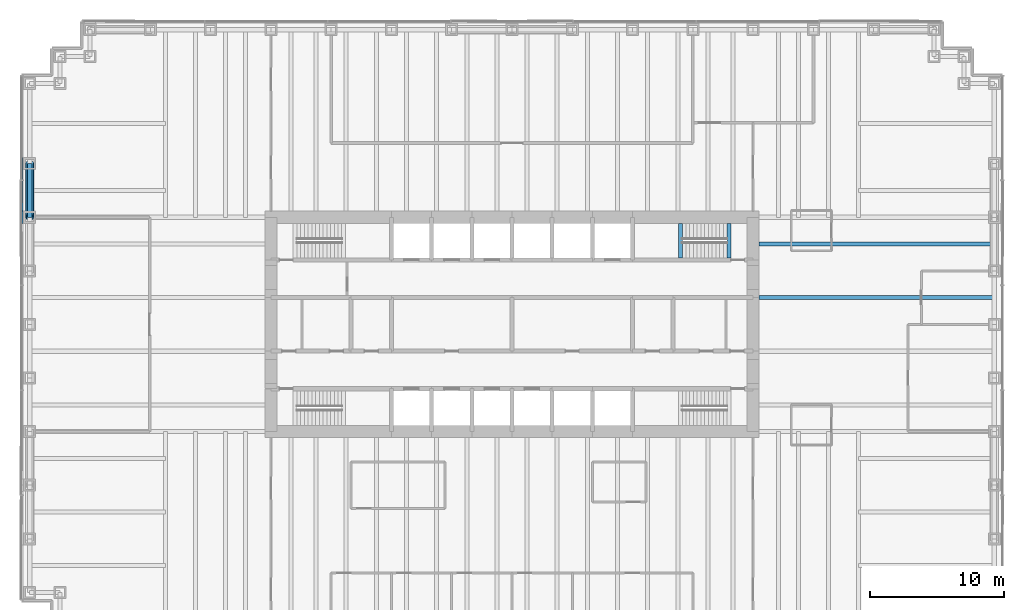
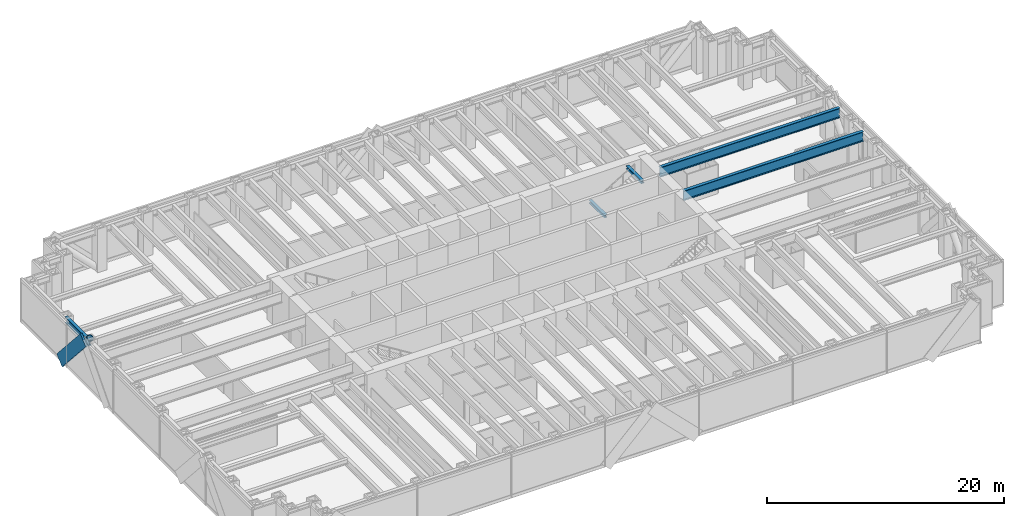
# One storey, part 4 of 13: 5 beams, 2 members, 1 element without a shape of its own.
"""IFC4 building model written with IfcOpenShell, lengths in metres."""

import ifcopenshell
import ifcopenshell.guid

model = None  # the IFC model being written
_history = None  # IfcOwnerHistory: only IFC2X3 demands one
_inside = {}  # id of a spatial element -> (the spatial element, [elements in it])
_under = {}  # id of a project, library or spatial element -> (it, [spatial elements below it])
_declared = {}  # id of a project -> (the project, [libraries it declares])
_typed = {}  # id of a type object -> (the type object, [elements of that type])
_made_of = {}  # id of a material, layer set ... -> (it, [elements and type objects made of it])


def new_model(schema):
    """Start an empty IFC model of exactly this schema.

    Asked for "IFC4X3", IfcOpenShell would pick the latest addendum, in which some entities
    have other attributes; the version numbers below select the first issue.
    IFC2X3 requires an IfcOwnerHistory on every rooted entity: one is made here for all.
    """
    global model, _history
    if schema == "IFC4X3":
        model = ifcopenshell.file(schema_version=(4, 3, 0, 0))
    else:
        model = ifcopenshell.file(schema=schema)
    _inside.clear()
    _under.clear()
    _declared.clear()
    _typed.clear()
    _made_of.clear()
    _history = None
    if model.schema == "IFC2X3":
        org = make("IfcOrganization", Name="unknown")
        user = make(
            "IfcPersonAndOrganization",
            ThePerson=make("IfcPerson", FamilyName="unknown"),
            TheOrganization=org,
        )
        app = make(
            "IfcApplication",
            ApplicationDeveloper=org,
            Version="unknown",
            ApplicationFullName="unknown",
            ApplicationIdentifier="unknown",
        )
        _history = make(
            "IfcOwnerHistory",
            OwningUser=user,
            OwningApplication=app,
            ChangeAction="ADDED",
            CreationDate=0,
        )
    return model


def make(cls, **values):
    """One entity of the class cls with the attributes given. An attribute that is None is left unset."""
    return model.create_entity(
        cls, **{name: value for name, value in values.items() if value is not None}
    )


def rooted(cls, **values):
    """An entity with a GlobalId (a new one), such as an element, a storey or a relation."""
    return make(cls, GlobalId=ifcopenshell.guid.new(), OwnerHistory=_history, **values)


def si_unit(unit_type, name, prefix=None):
    """IfcSIUnit, for example si_unit("LENGTHUNIT", "METRE", prefix="MILLI")."""
    return make("IfcSIUnit", UnitType=unit_type, Prefix=prefix, Name=name)


def assignment(units):
    """IfcUnitAssignment: the units of a project."""
    return None if units is None else make("IfcUnitAssignment", Units=units)


def point(xyz):
    """IfcCartesianPoint."""
    return None if xyz is None else make("IfcCartesianPoint", Coordinates=xyz)


def direction(xyz):
    """IfcDirection."""
    return None if xyz is None else make("IfcDirection", DirectionRatios=xyz)


def frame(location, z_axis=None, x_axis=None):
    """IfcAxis2Placement3D, a coordinate frame: its origin and axes. An axis left out is left unset."""
    return make(
        "IfcAxis2Placement3D",
        Location=point(location),
        Axis=direction(z_axis),
        RefDirection=direction(x_axis),
    )


def frame_2d(location, x_axis=None):
    """IfcAxis2Placement2D, a coordinate frame in the plane: its origin and x axis."""
    return make(
        "IfcAxis2Placement2D", Location=point(location), RefDirection=direction(x_axis)
    )


def origin():
    """The frame at (0, 0, 0) with its axes left unset."""
    return frame((0.0, 0.0, 0.0))


def origin_2d():
    """The frame at (0, 0) in the plane with its x axis left unset."""
    return frame_2d((0.0, 0.0))


def place(relative_to, where):
    """IfcLocalPlacement: puts the frame where relative to a parent placement (None: the world)."""
    return make(
        "IfcLocalPlacement", PlacementRelTo=relative_to, RelativePlacement=where
    )


def context(
    kind, dimensions, precision=None, world=None, true_north=None, identifier=None
):
    """IfcGeometricRepresentationContext, for example the 3D "Model" context."""
    return make(
        "IfcGeometricRepresentationContext",
        ContextIdentifier=identifier,
        ContextType=kind,
        CoordinateSpaceDimension=dimensions,
        Precision=precision,
        WorldCoordinateSystem=world,
        TrueNorth=true_north,
    )


def subcontext(parent, identifier, kind, view, scale=None):
    """IfcGeometricRepresentationSubContext, for example "Body" below "Model"."""
    return make(
        "IfcGeometricRepresentationSubContext",
        ContextIdentifier=identifier,
        ContextType=kind,
        ParentContext=parent,
        TargetScale=scale,
        TargetView=view,
    )


def project(units=None, contexts=None):
    """IfcProject with its units and contexts."""
    return rooted(
        "IfcProject",
        Name="project",
        RepresentationContexts=contexts,
        UnitsInContext=assignment(units),
    )


def spatial(cls, under=None, at=None, **own):
    """A site, building, storey or space (cls), placed at a placement, below another one or the project."""
    s = rooted(cls, ObjectPlacement=at, **own)
    if under is not None:
        _under.setdefault(under.id(), (under, []))[1].append(s)
    return s


def profile(cls, at=None, kind="AREA", **sizes):
    """A parametric profile (cls). Its sizes go by their IFC names, for example OverallWidth=200.0."""
    return make(cls, ProfileType=kind, Position=at, **sizes)


def rectangle(**sizes):
    """IfcRectangleProfileDef."""
    return profile("IfcRectangleProfileDef", **sizes)


def hollow_circle(**sizes):
    """IfcCircleHollowProfileDef."""
    return profile("IfcCircleHollowProfileDef", **sizes)


def i_section(**sizes):
    """IfcIShapeProfileDef."""
    return profile("IfcIShapeProfileDef", **sizes)


def extrude(swept, where, along, depth):
    """IfcExtrudedAreaSolid: the profile swept, set in the frame where, extruded along a direction by depth."""
    return make(
        "IfcExtrudedAreaSolid",
        SweptArea=swept,
        Position=where,
        ExtrudedDirection=direction(along),
        Depth=depth,
    )


def shape(context_of_items, identifier, shape_type, items):
    """IfcShapeRepresentation: the items that make up one representation, for example the "Body"."""
    return make(
        "IfcShapeRepresentation",
        ContextOfItems=context_of_items,
        RepresentationIdentifier=identifier,
        RepresentationType=shape_type,
        Items=items,
    )


def material(Name=None, Category=None):
    """IfcMaterial."""
    return make("IfcMaterial", Name=Name, Category=Category)


def material_profile(
    of_material, cross_section, Name=None, Category=None, Priority=None
):
    """IfcMaterialProfile: a cross section and its material."""
    return make(
        "IfcMaterialProfile",
        Name=Name,
        Material=of_material,
        Profile=cross_section,
        Priority=Priority,
        Category=Category,
    )


def profile_set(profiles, Name=None, composite=None):
    """IfcMaterialProfileSet."""
    return make(
        "IfcMaterialProfileSet",
        Name=Name,
        MaterialProfiles=profiles,
        CompositeProfile=composite,
    )


def made_of(thing, what):
    """Note that an element or type object is made of a material, layer set ...; save() writes the relation."""
    if what is not None:
        _made_of.setdefault(what.id(), (what, []))[1].append(thing)
    return thing


def type_object(cls, material=None, **own):
    """A type object (cls), such as IfcWallType, which elements share."""
    return made_of(rooted(cls, **own), material)


def element(
    cls,
    number,
    at=None,
    inside=None,
    cuts=None,
    type_object=None,
    material=None,
    context=None,
    identifier="Body",
    shape_type=None,
    held_by="IfcProductDefinitionShape",
    body=None,
    shapes=None,
    **own,
):
    """One element of the class cls, such as IfcWall. Its Tag is "e" and its number.

    at: its placement. inside: the storey or other place that contains it. cuts: it is an
    opening in that element (IfcRelVoidsElement). A single representation is given by context,
    identifier, shape_type and body (its items); several are given by shapes. held_by: the class
    of the entity that holds the representations. save() writes the other relations.
    """
    e = rooted(cls, Tag="e%d" % number, ObjectPlacement=at, **own)
    if body is not None:
        shapes = [shape(context, identifier, shape_type, body)]
    if shapes is not None:
        e.Representation = make(held_by, Representations=shapes)
    if inside is not None:
        _inside.setdefault(inside.id(), (inside, []))[1].append(e)
    if cuts is not None:
        rooted(
            "IfcRelVoidsElement", RelatingBuildingElement=cuts, RelatedOpeningElement=e
        )
    if type_object is not None:
        _typed.setdefault(type_object.id(), (type_object, []))[1].append(e)
    return made_of(e, material)


def aggregate(whole, parts):
    """IfcRelAggregates: a whole, such as a stair, and the parts it consists of."""
    return rooted("IfcRelAggregates", RelatingObject=whole, RelatedObjects=parts)


def save(model, path):
    """Write the relations noted so far, then the file.

    IfcRelAggregates (storeys below a building ...), IfcRelContainedInSpatialStructure (elements
    in a storey), IfcRelDefinesByType, IfcRelAssociatesMaterial and IfcRelDeclares: one each for
    every whole, place, type object, material and project.
    """
    for whole, parts in _under.values():
        aggregate(whole, parts)
    for where, things in _inside.values():
        rooted(
            "IfcRelContainedInSpatialStructure",
            RelatedElements=things,
            RelatingStructure=where,
        )
    for kind, things in _typed.values():
        rooted("IfcRelDefinesByType", RelatedObjects=things, RelatingType=kind)
    for what, things in _made_of.values():
        rooted("IfcRelAssociatesMaterial", RelatedObjects=things, RelatingMaterial=what)
    for by, libraries in _declared.values():
        rooted("IfcRelDeclares", RelatingContext=by, RelatedDefinitions=libraries)
    model.write(path)


model = new_model("IFC4")

# Units and contexts
model_context = context("Model", 3, precision=1e-05, world=origin(), true_north=direction((0.0, 1.0)))
body_context = subcontext(model_context, "Body", "Model", "MODEL_VIEW")
ifc_project = project(units=[si_unit("LENGTHUNIT", "METRE"), si_unit("AREAUNIT", "SQUARE_METRE"), si_unit("VOLUMEUNIT", "CUBIC_METRE"), si_unit("PLANEANGLEUNIT", "RADIAN"), si_unit("MASSUNIT", "GRAM", prefix="KILO")], contexts=[model_context])

# Site, building, storey
site_placement = place(None, origin())
site = spatial("IfcSite", under=ifc_project, at=site_placement, CompositionType="ELEMENT")
building_placement = place(site_placement, origin())
building = spatial("IfcBuilding", under=site, at=building_placement, Name="Rheinbord Bourse Tower", CompositionType="ELEMENT")
storey_placement = place(building_placement, frame((0.0, 0.0, 27.5)))
storey = spatial("IfcBuildingStorey", under=building, at=storey_placement, Name="L05", CompositionType="ELEMENT", Elevation=27.5)

# Curtain wall, member
ifc_material_1 = material(Name="Dark glass and black aluminium", Category="aluminium")
curtain_wall_type = type_object("IfcCurtainWallType", Name="CW1 DARK GLASS CURTAIN WALL", PredefinedType="USERDEFINED", material=ifc_material_1)
curtain_wall_placement = place(storey_placement, origin())
curtain_wall = element("IfcCurtainWall", 1, at=curtain_wall_placement, inside=storey, type_object=curtain_wall_type, Name="Curtain wall CW1 W L05", ObjectType="UNITISED CURTAIN WALL", PredefinedType="USERDEFINED")
ifc_material_2 = material(Name="Black anodised aluminium", Category="aluminium")
ifc_material_profile_1 = material_profile(ifc_material_2, rectangle(XDim=0.179931640625, YDim=1.2099609375, at=origin_2d()), Name="CW1 DIAGONAL MULLION 1210x180")
ifc_profile_set_1 = profile_set([ifc_material_profile_1], Name="Black anodised aluminium")
member_type_1 = type_object("IfcMemberType", Name="CW1 BLACK DIAGONAL MULLION", PredefinedType="USERDEFINED", material=ifc_profile_set_1)
member_1_placement = place(storey_placement, frame((-0.60009765625, 36.0, 0.0), z_axis=(0.0, -0.66436383883, 0.747409318684), x_axis=(1.0, 0.0, 0.0)))
member_1 = element("IfcMember", 2, at=member_1_placement, type_object=member_type_1, Name="CW1 diagonal mullion c", ObjectType="DIAGONAL MULLION", PredefinedType="USERDEFINED", context=body_context, shape_type="SweptSolid", body=[
    extrude(rectangle(XDim=0.179931640625, YDim=1.2099609375, at=origin_2d()), origin(), (0.0, 0.0, 1.0), 6.020751953125),
])
aggregate(curtain_wall, [member_1])

# Beams
ifc_material_3 = material(Name="Steel S460", Category="steel")
ifc_material_profile_2 = material_profile(ifc_material_3, i_section(OverallWidth=0.302001953125, OverallDepth=1.008056640625, WebThickness=0.02099609375, FlangeThickness=0.0400390625, at=origin_2d()), Name="HEM 1000")
ifc_profile_set_2 = profile_set([ifc_material_profile_2], Name="Steel S460")
beam_type_1 = type_object("IfcBeamType", Name="END BEAM HEM 1000", PredefinedType="BEAM", material=ifc_profile_set_2)
for number, where, z_axis, x_axis, name in (
    (3, (54.449951171875, 26.0, 3.81591796875), (1.0, 0.0, 0.0), (0.0, 1.0, 0.0), "End beam east 26 L06"),
    (4, (54.449951171875, 30.0, 3.81591796875), (1.0, 0.0, 0.0), (0.0, 1.0, 0.0), "End beam east 30 L06"),
):
    element("IfcBeam", number, at=place(storey_placement, frame(where, z_axis=z_axis, x_axis=x_axis)), inside=storey, type_object=beam_type_1, Name=name, PredefinedType="BEAM", context=body_context, shape_type="SweptSolid", body=[
        extrude(i_section(OverallWidth=0.302001953125, OverallDepth=1.008056640625, WebThickness=0.02099609375, FlangeThickness=0.0400390625, at=origin_2d()), origin(), (0.0, 0.0, 1.0), 17.550048828125),
    ])
ifc_material_4 = material(Name="Steel S460", Category="steel")
ifc_material_profile_3 = material_profile(ifc_material_4, i_section(OverallWidth=0.300048828125, OverallDepth=0.300048828125, WebThickness=0.010986328125, FlangeThickness=0.01904296875, at=origin_2d()), Name="HEB 300")
ifc_profile_set_3 = profile_set([ifc_material_profile_3], Name="Steel S460")
beam_type_2 = type_object("IfcBeamType", Name="LANDING TRIMMER HEB 300", PredefinedType="BEAM", material=ifc_profile_set_3)
for number, where, z_axis, x_axis, name in (
    (5, (48.590087890625, 28.949951171875, 1.89990234375), (0.0, 1.0, 0.0), (-1.0, 0.0, 0.0), "Landing trimmer ST4 L05"),
    (6, (52.199951171875, 28.949951171875, 4.169921875), (0.0, 1.0, 0.0), (-1.0, 0.0, 0.0), "Well trimmer ST4 under L06"),
):
    element("IfcBeam", number, at=place(storey_placement, frame(where, z_axis=z_axis, x_axis=x_axis)), inside=storey, type_object=beam_type_2, Name=name, PredefinedType="BEAM", context=body_context, shape_type="SweptSolid", body=[
        extrude(i_section(OverallWidth=0.300048828125, OverallDepth=0.300048828125, WebThickness=0.010986328125, FlangeThickness=0.01904296875, at=origin_2d()), origin(), (0.0, 0.0, 1.0), 2.60009765625),
    ])

# Member
ifc_material_5 = material(Name="Steel S460", Category="steel")
ifc_material_profile_4 = material_profile(ifc_material_5, hollow_circle(Radius=0.304931640625, WallThickness=0.050048828125, at=origin_2d()), Name="CHS 610x50")
ifc_profile_set_4 = profile_set([ifc_material_profile_4], Name="Steel S460")
member_type_2 = type_object("IfcMemberType", Name="MEGABRACE CHS 610x50", PredefinedType="BRACE", material=ifc_profile_set_4)
member_2_placement = place(storey_placement, frame((0.0, 36.0, 0.0), z_axis=(0.0, -0.66436383883, 0.747409318684), x_axis=(1.0, 0.0, 0.0)))
element("IfcMember", 7, at=member_2_placement, inside=storey, type_object=member_type_2, Name="Megabrace W face line c L05", PredefinedType="BRACE", context=body_context, shape_type="SweptSolid", body=[
    extrude(hollow_circle(Radius=0.304931640625, WallThickness=0.050048828125, at=origin_2d()), origin(), (0.0, 0.0, 1.0), 6.020751953125),
])

# Beam
ifc_material_6 = material(Name="Steel S460", Category="steel")
ifc_material_profile_5 = material_profile(ifc_material_6, i_section(OverallWidth=0.304931640625, OverallDepth=0.6201171875, WebThickness=0.02099609375, FlangeThickness=0.0400390625, at=origin_2d()), Name="HEM 600")
ifc_profile_set_5 = profile_set([ifc_material_profile_5], Name="Steel S460")
beam_type_3 = type_object("IfcBeamType", Name="SPANDREL HEM 600", PredefinedType="SPANDREL", material=ifc_profile_set_5)
beam_placement = place(storey_placement, frame((0.0, 36.0, 4.010009765625), z_axis=(0.0, -1.0, 0.0), x_axis=(1.0, 0.0, 0.0)))
element("IfcBeam", 8, at=beam_placement, inside=storey, type_object=beam_type_3, Name="Spandrel W-36-W-32 under L06", PredefinedType="SPANDREL", context=body_context, shape_type="SweptSolid", body=[
    extrude(i_section(OverallWidth=0.304931640625, OverallDepth=0.6201171875, WebThickness=0.02099609375, FlangeThickness=0.0400390625, at=origin_2d()), origin(), (0.0, 0.0, 1.0), 4.0),
])

save(model, "model.ifc")
